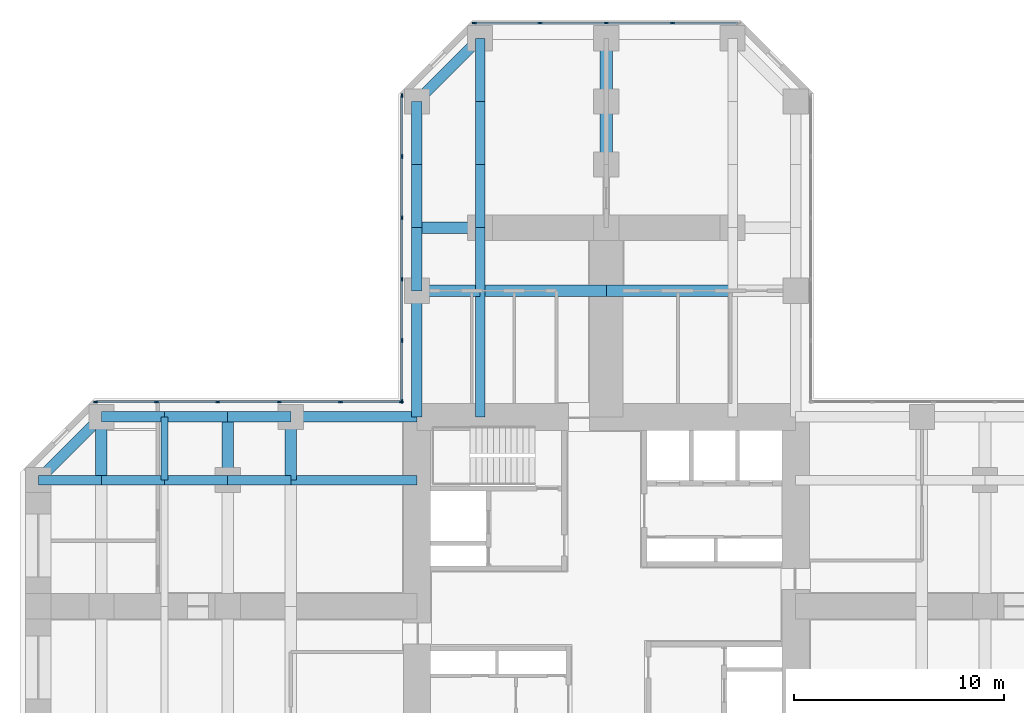
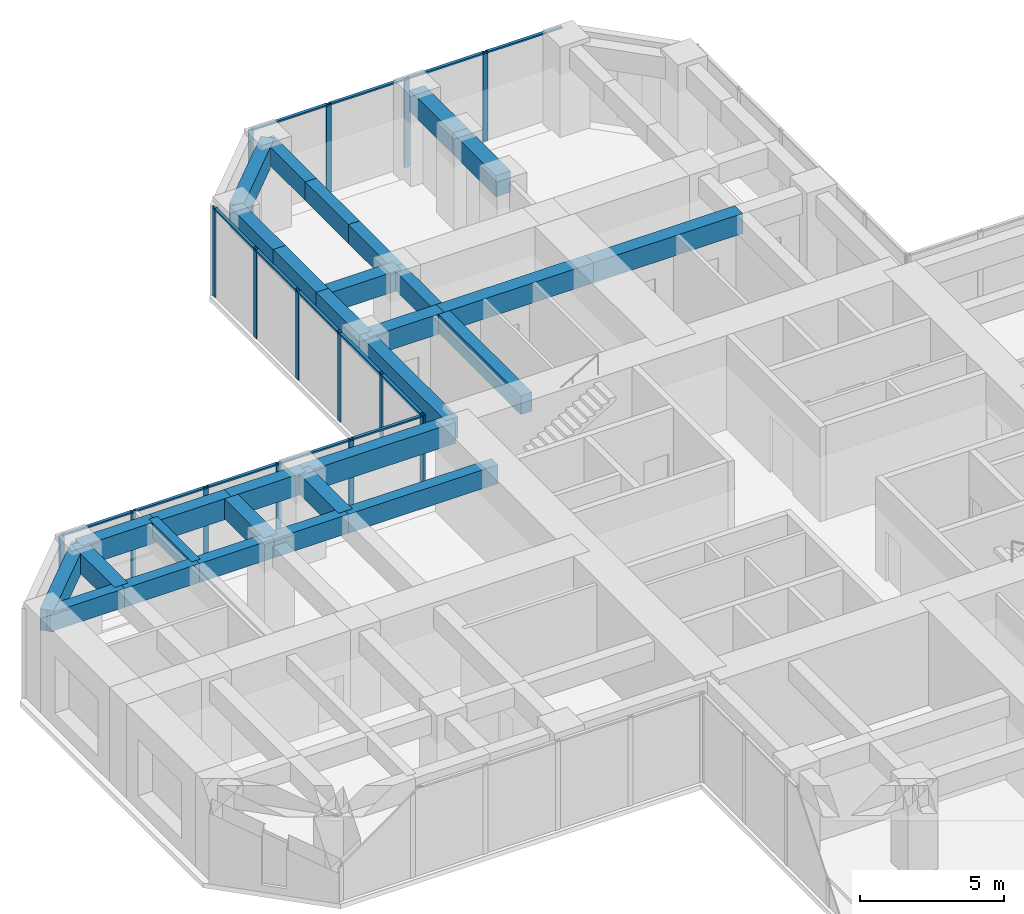
# One storey, part 5 of 12: 30 beams, 30 members, 3 elements without a shape of their own.
"""IFC4 building model written with IfcOpenShell, lengths in metres."""

import ifcopenshell
import ifcopenshell.guid

model = None  # the IFC model being written
_history = None  # IfcOwnerHistory: only IFC2X3 demands one
_inside = {}  # id of a spatial element -> (the spatial element, [elements in it])
_under = {}  # id of a project, library or spatial element -> (it, [spatial elements below it])
_declared = {}  # id of a project -> (the project, [libraries it declares])
_typed = {}  # id of a type object -> (the type object, [elements of that type])
_made_of = {}  # id of a material, layer set ... -> (it, [elements and type objects made of it])


def new_model(schema):
    """Start an empty IFC model of exactly this schema.

    Asked for "IFC4X3", IfcOpenShell would pick the latest addendum, in which some entities
    have other attributes; the version numbers below select the first issue.
    IFC2X3 requires an IfcOwnerHistory on every rooted entity: one is made here for all.
    """
    global model, _history
    if schema == "IFC4X3":
        model = ifcopenshell.file(schema_version=(4, 3, 0, 0))
    else:
        model = ifcopenshell.file(schema=schema)
    _inside.clear()
    _under.clear()
    _declared.clear()
    _typed.clear()
    _made_of.clear()
    _history = None
    if model.schema == "IFC2X3":
        org = make("IfcOrganization", Name="unknown")
        user = make(
            "IfcPersonAndOrganization",
            ThePerson=make("IfcPerson", FamilyName="unknown"),
            TheOrganization=org,
        )
        app = make(
            "IfcApplication",
            ApplicationDeveloper=org,
            Version="unknown",
            ApplicationFullName="unknown",
            ApplicationIdentifier="unknown",
        )
        _history = make(
            "IfcOwnerHistory",
            OwningUser=user,
            OwningApplication=app,
            ChangeAction="ADDED",
            CreationDate=0,
        )
    return model


def make(cls, **values):
    """One entity of the class cls with the attributes given. An attribute that is None is left unset."""
    return model.create_entity(
        cls, **{name: value for name, value in values.items() if value is not None}
    )


def rooted(cls, **values):
    """An entity with a GlobalId (a new one), such as an element, a storey or a relation."""
    return make(cls, GlobalId=ifcopenshell.guid.new(), OwnerHistory=_history, **values)


def si_unit(unit_type, name, prefix=None):
    """IfcSIUnit, for example si_unit("LENGTHUNIT", "METRE", prefix="MILLI")."""
    return make("IfcSIUnit", UnitType=unit_type, Prefix=prefix, Name=name)


def assignment(units):
    """IfcUnitAssignment: the units of a project."""
    return None if units is None else make("IfcUnitAssignment", Units=units)


def point(xyz):
    """IfcCartesianPoint."""
    return None if xyz is None else make("IfcCartesianPoint", Coordinates=xyz)


def direction(xyz):
    """IfcDirection."""
    return None if xyz is None else make("IfcDirection", DirectionRatios=xyz)


def frame(location, z_axis=None, x_axis=None):
    """IfcAxis2Placement3D, a coordinate frame: its origin and axes. An axis left out is left unset."""
    return make(
        "IfcAxis2Placement3D",
        Location=point(location),
        Axis=direction(z_axis),
        RefDirection=direction(x_axis),
    )


def frame_2d(location, x_axis=None):
    """IfcAxis2Placement2D, a coordinate frame in the plane: its origin and x axis."""
    return make(
        "IfcAxis2Placement2D", Location=point(location), RefDirection=direction(x_axis)
    )


def origin():
    """The frame at (0, 0, 0) with its axes left unset."""
    return frame((0.0, 0.0, 0.0))


def origin_2d():
    """The frame at (0, 0) in the plane with its x axis left unset."""
    return frame_2d((0.0, 0.0))


def place(relative_to, where):
    """IfcLocalPlacement: puts the frame where relative to a parent placement (None: the world)."""
    return make(
        "IfcLocalPlacement", PlacementRelTo=relative_to, RelativePlacement=where
    )


def context(
    kind, dimensions, precision=None, world=None, true_north=None, identifier=None
):
    """IfcGeometricRepresentationContext, for example the 3D "Model" context."""
    return make(
        "IfcGeometricRepresentationContext",
        ContextIdentifier=identifier,
        ContextType=kind,
        CoordinateSpaceDimension=dimensions,
        Precision=precision,
        WorldCoordinateSystem=world,
        TrueNorth=true_north,
    )


def subcontext(parent, identifier, kind, view, scale=None):
    """IfcGeometricRepresentationSubContext, for example "Body" below "Model"."""
    return make(
        "IfcGeometricRepresentationSubContext",
        ContextIdentifier=identifier,
        ContextType=kind,
        ParentContext=parent,
        TargetScale=scale,
        TargetView=view,
    )


def project(units=None, contexts=None):
    """IfcProject with its units and contexts."""
    return rooted(
        "IfcProject",
        Name="project",
        RepresentationContexts=contexts,
        UnitsInContext=assignment(units),
    )


def spatial(cls, under=None, at=None, **own):
    """A site, building, storey or space (cls), placed at a placement, below another one or the project."""
    s = rooted(cls, ObjectPlacement=at, **own)
    if under is not None:
        _under.setdefault(under.id(), (under, []))[1].append(s)
    return s


def profile(cls, at=None, kind="AREA", **sizes):
    """A parametric profile (cls). Its sizes go by their IFC names, for example OverallWidth=200.0."""
    return make(cls, ProfileType=kind, Position=at, **sizes)


def rectangle(**sizes):
    """IfcRectangleProfileDef."""
    return profile("IfcRectangleProfileDef", **sizes)


def extrude(swept, where, along, depth):
    """IfcExtrudedAreaSolid: the profile swept, set in the frame where, extruded along a direction by depth."""
    return make(
        "IfcExtrudedAreaSolid",
        SweptArea=swept,
        Position=where,
        ExtrudedDirection=direction(along),
        Depth=depth,
    )


def shape(context_of_items, identifier, shape_type, items):
    """IfcShapeRepresentation: the items that make up one representation, for example the "Body"."""
    return make(
        "IfcShapeRepresentation",
        ContextOfItems=context_of_items,
        RepresentationIdentifier=identifier,
        RepresentationType=shape_type,
        Items=items,
    )


def material(Name=None, Category=None):
    """IfcMaterial."""
    return make("IfcMaterial", Name=Name, Category=Category)


def material_profile(
    of_material, cross_section, Name=None, Category=None, Priority=None
):
    """IfcMaterialProfile: a cross section and its material."""
    return make(
        "IfcMaterialProfile",
        Name=Name,
        Material=of_material,
        Profile=cross_section,
        Priority=Priority,
        Category=Category,
    )


def profile_set(profiles, Name=None, composite=None):
    """IfcMaterialProfileSet."""
    return make(
        "IfcMaterialProfileSet",
        Name=Name,
        MaterialProfiles=profiles,
        CompositeProfile=composite,
    )


def made_of(thing, what):
    """Note that an element or type object is made of a material, layer set ...; save() writes the relation."""
    if what is not None:
        _made_of.setdefault(what.id(), (what, []))[1].append(thing)
    return thing


def type_object(cls, material=None, **own):
    """A type object (cls), such as IfcWallType, which elements share."""
    return made_of(rooted(cls, **own), material)


def element(
    cls,
    number,
    at=None,
    inside=None,
    cuts=None,
    type_object=None,
    material=None,
    context=None,
    identifier="Body",
    shape_type=None,
    held_by="IfcProductDefinitionShape",
    body=None,
    shapes=None,
    **own,
):
    """One element of the class cls, such as IfcWall. Its Tag is "e" and its number.

    at: its placement. inside: the storey or other place that contains it. cuts: it is an
    opening in that element (IfcRelVoidsElement). A single representation is given by context,
    identifier, shape_type and body (its items); several are given by shapes. held_by: the class
    of the entity that holds the representations. save() writes the other relations.
    """
    e = rooted(cls, Tag="e%d" % number, ObjectPlacement=at, **own)
    if body is not None:
        shapes = [shape(context, identifier, shape_type, body)]
    if shapes is not None:
        e.Representation = make(held_by, Representations=shapes)
    if inside is not None:
        _inside.setdefault(inside.id(), (inside, []))[1].append(e)
    if cuts is not None:
        rooted(
            "IfcRelVoidsElement", RelatingBuildingElement=cuts, RelatedOpeningElement=e
        )
    if type_object is not None:
        _typed.setdefault(type_object.id(), (type_object, []))[1].append(e)
    return made_of(e, material)


def aggregate(whole, parts):
    """IfcRelAggregates: a whole, such as a stair, and the parts it consists of."""
    return rooted("IfcRelAggregates", RelatingObject=whole, RelatedObjects=parts)


def save(model, path):
    """Write the relations noted so far, then the file.

    IfcRelAggregates (storeys below a building ...), IfcRelContainedInSpatialStructure (elements
    in a storey), IfcRelDefinesByType, IfcRelAssociatesMaterial and IfcRelDeclares: one each for
    every whole, place, type object, material and project.
    """
    for whole, parts in _under.values():
        aggregate(whole, parts)
    for where, things in _inside.values():
        rooted(
            "IfcRelContainedInSpatialStructure",
            RelatedElements=things,
            RelatingStructure=where,
        )
    for kind, things in _typed.values():
        rooted("IfcRelDefinesByType", RelatedObjects=things, RelatingType=kind)
    for what, things in _made_of.values():
        rooted("IfcRelAssociatesMaterial", RelatedObjects=things, RelatingMaterial=what)
    for by, libraries in _declared.values():
        rooted("IfcRelDeclares", RelatingContext=by, RelatedDefinitions=libraries)
    model.write(path)


model = new_model("IFC4")

# Units and contexts
model_context = context("Model", 3, precision=1e-05, world=origin(), true_north=direction((0.0, 1.0)))
body_context = subcontext(model_context, "Body", "Model", "MODEL_VIEW")
ifc_project = project(units=[si_unit("LENGTHUNIT", "METRE"), si_unit("AREAUNIT", "SQUARE_METRE"), si_unit("VOLUMEUNIT", "CUBIC_METRE"), si_unit("PLANEANGLEUNIT", "RADIAN"), si_unit("MASSUNIT", "GRAM", prefix="KILO")], contexts=[model_context])

# Site, building, storey
site_placement = place(None, origin())
site = spatial("IfcSite", under=ifc_project, at=site_placement, CompositionType="ELEMENT")
building_placement = place(site_placement, origin())
building = spatial("IfcBuilding", under=site, at=building_placement, Name="Torre Cruceta", CompositionType="ELEMENT")
storey_placement = place(building_placement, frame((0.0, 0.0, 71.5)))
storey = spatial("IfcBuildingStorey", under=building, at=storey_placement, Name="L17", CompositionType="ELEMENT", Elevation=71.5)

# Beams
ifc_material_1 = material(Name="Concrete G60 (fck 60 MPa)", Category="concrete")
ifc_material_profile_1 = material_profile(ifc_material_1, rectangle(XDim=0.60009765625, YDim=0.89990234375, at=origin_2d()), Name="RC 600X900")
ifc_profile_set_1 = profile_set([ifc_material_profile_1], Name="Concrete G60 (fck 60 MPa)")
beam_type_1 = type_object("IfcBeamType", Name="ARM CENTRE BEAM RC 600X900", PredefinedType="BEAM", material=ifc_profile_set_1)
for number, where, z_axis, x_axis, name in (
    (1, (0.0, 21.0, 3.35009765625), (0.0, 1.0, 0.0), (-1.0, 0.0, 0.0), "MB3 L17 N centre 1"),
    (2, (0.0, 24.0, 3.35009765625), (0.0, 1.0, 0.0), (-1.0, 0.0, 0.0), "MB3 L17 N centre 2"),
):
    element("IfcBeam", number, at=place(storey_placement, frame(where, z_axis=z_axis, x_axis=x_axis)), inside=storey, type_object=beam_type_1, Name=name, PredefinedType="BEAM", context=body_context, shape_type="SweptSolid", body=[
        extrude(rectangle(XDim=0.60009765625, YDim=0.89990234375, at=origin_2d()), origin(), (0.0, 0.0, 1.0), 3.0),
    ])
ifc_material_2 = material(Name="Concrete G60 (fck 60 MPa)", Category="concrete")
ifc_material_profile_2 = material_profile(ifc_material_2, rectangle(XDim=0.449951171875, YDim=0.800048828125, at=origin_2d()), Name="RC 450X800")
ifc_profile_set_2 = profile_set([ifc_material_profile_2], Name="Concrete G60 (fck 60 MPa)")
beam_type_2 = type_object("IfcBeamType", Name="COLUMN LINE BEAM RC 450X800", PredefinedType="BEAM", material=ifc_profile_set_2)
beam_1_placement = place(storey_placement, frame((-6.0, 9.0, 3.39990234375), z_axis=(0.0, 1.0, 0.0), x_axis=(-1.0, 0.0, 0.0)))
element("IfcBeam", 3, at=beam_1_placement, inside=storey, type_object=beam_type_2, Name="LB1 L17 N col+ 1", PredefinedType="BEAM", context=body_context, shape_type="SweptSolid", body=[
    extrude(rectangle(XDim=0.449951171875, YDim=0.800048828125, at=origin_2d()), origin(), (0.0, 0.0, 1.0), 6.0),
])
for number, where, z_axis, x_axis, name in (
    (4, (-6.0, 15.0, 3.39990234375), (0.0, 1.0, 0.0), (-1.0, 0.0, 0.0), "LB1 L17 N col+ 2"),
    (5, (-6.0, 18.0, 3.39990234375), (0.0, 1.0, 0.0), (-1.0, 0.0, 0.0), "LB1 L17 N col+ 3"),
    (6, (-6.0, 21.0, 3.39990234375), (0.0, 1.0, 0.0), (-1.0, 0.0, 0.0), "LB1 L17 N col+ 4"),
    (7, (-6.0, 24.0, 3.39990234375), (0.0, 1.0, 0.0), (-1.0, 0.0, 0.0), "LB1 L17 N col+ 5"),
):
    element("IfcBeam", number, at=place(storey_placement, frame(where, z_axis=z_axis, x_axis=x_axis)), inside=storey, type_object=beam_type_2, Name=name, PredefinedType="BEAM", context=body_context, shape_type="SweptSolid", body=[
        extrude(rectangle(XDim=0.449951171875, YDim=0.800048828125, at=origin_2d()), origin(), (0.0, 0.0, 1.0), 3.0),
    ])
beam_2_placement = place(storey_placement, frame((-9.0, 6.0, 3.39990234375), z_axis=(-1.0, 0.0, 0.0), x_axis=(0.0, -1.0, 0.0)))
element("IfcBeam", 8, at=beam_2_placement, inside=storey, type_object=beam_type_2, Name="LB1 L17 W col- 1", PredefinedType="BEAM", context=body_context, shape_type="SweptSolid", body=[
    extrude(rectangle(XDim=0.449951171875, YDim=0.800048828125, at=origin_2d()), origin(), (0.0, 0.0, 1.0), 6.0),
])
for number, where, z_axis, x_axis, name in (
    (9, (-15.0, 6.0, 3.39990234375), (-1.0, 0.0, 0.0), (0.0, -1.0, 0.0), "LB1 L17 W col- 2"),
    (10, (-18.0, 6.0, 3.39990234375), (-1.0, 0.0, 0.0), (0.0, -1.0, 0.0), "LB1 L17 W col- 3"),
    (11, (-21.0, 6.0, 3.39990234375), (-1.0, 0.0, 0.0), (0.0, -1.0, 0.0), "LB1 L17 W col- 4"),
    (12, (-24.0, 6.0, 3.39990234375), (-1.0, 0.0, 0.0), (0.0, -1.0, 0.0), "LB1 L17 W col- 5"),
):
    element("IfcBeam", number, at=place(storey_placement, frame(where, z_axis=z_axis, x_axis=x_axis)), inside=storey, type_object=beam_type_2, Name=name, PredefinedType="BEAM", context=body_context, shape_type="SweptSolid", body=[
        extrude(rectangle(XDim=0.449951171875, YDim=0.800048828125, at=origin_2d()), origin(), (0.0, 0.0, 1.0), 3.0),
    ])
ifc_material_3 = material(Name="Concrete G60 (fck 60 MPa)", Category="concrete")
ifc_material_profile_3 = material_profile(ifc_material_3, rectangle(XDim=0.550048828125, YDim=0.85009765625, at=origin_2d()), Name="RC 550X850")
ifc_profile_set_3 = profile_set([ifc_material_profile_3], Name="Concrete G60 (fck 60 MPa)")
beam_type_3 = type_object("IfcBeamType", Name="CROSS BEAM RC 550X850", PredefinedType="BEAM", material=ifc_profile_set_3)
for number, where, z_axis, x_axis, name in (
    (13, (6.0, 15.0, 3.375), (-1.0, 0.0, 0.0), (0.0, -1.0, 0.0), "GB4 L17 N cross15 2"),
    (14, (0.0, 15.0, 3.375), (-1.0, 0.0, 0.0), (0.0, -1.0, 0.0), "GB4 L17 N cross15 3"),
):
    element("IfcBeam", number, at=place(storey_placement, frame(where, z_axis=z_axis, x_axis=x_axis)), inside=storey, type_object=beam_type_3, Name=name, PredefinedType="BEAM", context=body_context, shape_type="SweptSolid", body=[
        extrude(rectangle(XDim=0.550048828125, YDim=0.85009765625, at=origin_2d()), origin(), (0.0, 0.0, 1.0), 6.0),
    ])
for number, where, z_axis, x_axis, name in (
    (15, (-6.0, 15.0, 3.375), (-1.0, 0.0, 0.0), (0.0, -1.0, 0.0), "GB4 L17 N cross15 4"),
    (16, (-6.0, 18.0, 3.375), (-1.0, 0.0, 0.0), (0.0, -1.0, 0.0), "GB4 L17 N cross18b 1"),
    (17, (-15.0, 9.0, 3.375), (0.0, -1.0, 0.0), (1.0, 0.0, 0.0), "GB4 L17 W cross15 1"),
    (18, (-18.0, 9.0, 3.375), (0.0, -1.0, 0.0), (1.0, 0.0, 0.0), "GB4 L17 W cross18 1"),
    (19, (-24.0, 9.0, 3.375), (0.0, -1.0, 0.0), (1.0, 0.0, 0.0), "GB4 L17 W cross24 1"),
):
    element("IfcBeam", number, at=place(storey_placement, frame(where, z_axis=z_axis, x_axis=x_axis)), inside=storey, type_object=beam_type_3, Name=name, PredefinedType="BEAM", context=body_context, shape_type="SweptSolid", body=[
        extrude(rectangle(XDim=0.550048828125, YDim=0.85009765625, at=origin_2d()), origin(), (0.0, 0.0, 1.0), 3.0),
    ])

# Curtain wall, members
ifc_material_4 = material(Name="Aluminium unitised curtain wall", Category="aluminium")
curtain_wall_type = type_object("IfcCurtainWallType", Name="CURTAIN WALL CW-A OFFICE LOW RISE", PredefinedType="USERDEFINED", material=ifc_material_4)
curtain_wall_1_placement = place(storey_placement, origin())
curtain_wall_1 = element("IfcCurtainWall", 20, at=curtain_wall_1_placement, inside=storey, type_object=curtain_wall_type, Name="CW-A L17 N tip 07", ObjectType="UNITISED", PredefinedType="USERDEFINED")
ifc_material_5 = material(Name="Aluminium mullion", Category="aluminium")
ifc_material_profile_4 = material_profile(ifc_material_5, rectangle(XDim=0.06494140625, YDim=0.199951171875, at=origin_2d()), Name="AL 65X200")
ifc_profile_set_4 = profile_set([ifc_material_profile_4], Name="Aluminium mullion")
member_type_1 = type_object("IfcMemberType", Name="CW-A MULLION 65X200", PredefinedType="MULLION", material=ifc_profile_set_4)
member_1_placement = place(storey_placement, frame((3.149169921875, 27.719970703125, 0.0), z_axis=(0.0, 0.0, 1.0), x_axis=(0.0, -1.0, 0.0)))
member_1 = element("IfcMember", 21, at=member_1_placement, type_object=member_type_1, Name="CW-A mullion 2", PredefinedType="MULLION", context=body_context, shape_type="SweptSolid", body=[
    extrude(rectangle(XDim=0.06494140625, YDim=0.199951171875, at=origin_2d()), origin(), (0.0, 0.0, 1.0), 3.800048828125),
])
member_2_placement = place(storey_placement, frame((0.0, 27.719970703125, 0.0), z_axis=(0.0, 0.0, 1.0), x_axis=(0.0, -1.0, 0.0)))
member_2 = element("IfcMember", 22, at=member_2_placement, type_object=member_type_1, Name="CW-A mullion 3", PredefinedType="MULLION", context=body_context, shape_type="SweptSolid", body=[
    extrude(rectangle(XDim=0.06494140625, YDim=0.199951171875, at=origin_2d()), origin(), (0.0, 0.0, 1.0), 3.800048828125),
])
member_3_placement = place(storey_placement, frame((-3.149169921875, 27.719970703125, 0.0), z_axis=(0.0, 0.0, 1.0), x_axis=(0.0, -1.0, 0.0)))
member_3 = element("IfcMember", 23, at=member_3_placement, type_object=member_type_1, Name="CW-A mullion 4", PredefinedType="MULLION", context=body_context, shape_type="SweptSolid", body=[
    extrude(rectangle(XDim=0.06494140625, YDim=0.199951171875, at=origin_2d()), origin(), (0.0, 0.0, 1.0), 3.800048828125),
])
member_4_placement = place(storey_placement, frame((-6.265625, 27.719970703125, 0.0), z_axis=(0.0, 0.0, 1.0), x_axis=(0.0, -1.0, 0.0)))
member_4 = element("IfcMember", 24, at=member_4_placement, type_object=member_type_1, Name="CW-A mullion 5", PredefinedType="MULLION", context=body_context, shape_type="SweptSolid", body=[
    extrude(rectangle(XDim=0.06494140625, YDim=0.199951171875, at=origin_2d()), origin(), (0.0, 0.0, 1.0), 3.800048828125),
])

curtain_wall_2_placement = place(storey_placement, origin())
curtain_wall_2 = element("IfcCurtainWall", 25, at=curtain_wall_2_placement, inside=storey, type_object=curtain_wall_type, Name="CW-A L17 N side 09", ObjectType="UNITISED", PredefinedType="USERDEFINED")
member_5_placement = place(storey_placement, frame((-9.719970703125, 24.265625, 0.0), z_axis=(0.0, 0.0, 1.0), x_axis=(1.0, 0.0, 0.0)))
member_5 = element("IfcMember", 26, at=member_5_placement, type_object=member_type_1, Name="CW-A mullion 1", PredefinedType="MULLION", context=body_context, shape_type="SweptSolid", body=[
    extrude(rectangle(XDim=0.06494140625, YDim=0.199951171875, at=origin_2d()), origin(), (0.0, 0.0, 1.0), 3.800048828125),
])
member_6_placement = place(storey_placement, frame((-9.719970703125, 21.382568359375, 0.0), z_axis=(0.0, 0.0, 1.0), x_axis=(1.0, 0.0, 0.0)))
member_6 = element("IfcMember", 27, at=member_6_placement, type_object=member_type_1, Name="CW-A mullion 2", PredefinedType="MULLION", context=body_context, shape_type="SweptSolid", body=[
    extrude(rectangle(XDim=0.06494140625, YDim=0.199951171875, at=origin_2d()), origin(), (0.0, 0.0, 1.0), 3.800048828125),
])
member_7_placement = place(storey_placement, frame((-9.719970703125, 18.467041015625, 0.0), z_axis=(0.0, 0.0, 1.0), x_axis=(1.0, 0.0, 0.0)))
member_7 = element("IfcMember", 28, at=member_7_placement, type_object=member_type_1, Name="CW-A mullion 3", PredefinedType="MULLION", context=body_context, shape_type="SweptSolid", body=[
    extrude(rectangle(XDim=0.06494140625, YDim=0.199951171875, at=origin_2d()), origin(), (0.0, 0.0, 1.0), 3.800048828125),
])
member_8_placement = place(storey_placement, frame((-9.719970703125, 15.55126953125, 0.0), z_axis=(0.0, 0.0, 1.0), x_axis=(1.0, 0.0, 0.0)))
member_8 = element("IfcMember", 29, at=member_8_placement, type_object=member_type_1, Name="CW-A mullion 4", PredefinedType="MULLION", context=body_context, shape_type="SweptSolid", body=[
    extrude(rectangle(XDim=0.06494140625, YDim=0.199951171875, at=origin_2d()), origin(), (0.0, 0.0, 1.0), 3.800048828125),
])
member_9_placement = place(storey_placement, frame((-9.719970703125, 12.6357421875, 0.0), z_axis=(0.0, 0.0, 1.0), x_axis=(1.0, 0.0, 0.0)))
member_9 = element("IfcMember", 30, at=member_9_placement, type_object=member_type_1, Name="CW-A mullion 5", PredefinedType="MULLION", context=body_context, shape_type="SweptSolid", body=[
    extrude(rectangle(XDim=0.06494140625, YDim=0.199951171875, at=origin_2d()), origin(), (0.0, 0.0, 1.0), 3.800048828125),
])
member_10_placement = place(storey_placement, frame((-9.719970703125, 9.75244140625, 0.0), z_axis=(0.0, 0.0, 1.0), x_axis=(1.0, 0.0, 0.0)))
member_10 = element("IfcMember", 31, at=member_10_placement, type_object=member_type_1, Name="CW-A mullion 6", PredefinedType="MULLION", context=body_context, shape_type="SweptSolid", body=[
    extrude(rectangle(XDim=0.06494140625, YDim=0.199951171875, at=origin_2d()), origin(), (0.0, 0.0, 1.0), 3.800048828125),
])

curtain_wall_3_placement = place(storey_placement, origin())
curtain_wall_3 = element("IfcCurtainWall", 32, at=curtain_wall_3_placement, inside=storey, type_object=curtain_wall_type, Name="CW-A L17 W side 10", ObjectType="UNITISED", PredefinedType="USERDEFINED")
member_11_placement = place(storey_placement, frame((-9.75244140625, 9.719970703125, 0.0), z_axis=(0.0, 0.0, 1.0), x_axis=(0.0, -1.0, 0.0)))
member_11 = element("IfcMember", 33, at=member_11_placement, type_object=member_type_1, Name="CW-A mullion 1", PredefinedType="MULLION", context=body_context, shape_type="SweptSolid", body=[
    extrude(rectangle(XDim=0.06494140625, YDim=0.199951171875, at=origin_2d()), origin(), (0.0, 0.0, 1.0), 3.800048828125),
])
member_12_placement = place(storey_placement, frame((-12.6357421875, 9.719970703125, 0.0), z_axis=(0.0, 0.0, 1.0), x_axis=(0.0, -1.0, 0.0)))
member_12 = element("IfcMember", 34, at=member_12_placement, type_object=member_type_1, Name="CW-A mullion 2", PredefinedType="MULLION", context=body_context, shape_type="SweptSolid", body=[
    extrude(rectangle(XDim=0.06494140625, YDim=0.199951171875, at=origin_2d()), origin(), (0.0, 0.0, 1.0), 3.800048828125),
])
member_13_placement = place(storey_placement, frame((-15.55126953125, 9.719970703125, 0.0), z_axis=(0.0, 0.0, 1.0), x_axis=(0.0, -1.0, 0.0)))
member_13 = element("IfcMember", 35, at=member_13_placement, type_object=member_type_1, Name="CW-A mullion 3", PredefinedType="MULLION", context=body_context, shape_type="SweptSolid", body=[
    extrude(rectangle(XDim=0.06494140625, YDim=0.199951171875, at=origin_2d()), origin(), (0.0, 0.0, 1.0), 3.800048828125),
])
member_14_placement = place(storey_placement, frame((-18.467041015625, 9.719970703125, 0.0), z_axis=(0.0, 0.0, 1.0), x_axis=(0.0, -1.0, 0.0)))
member_14 = element("IfcMember", 36, at=member_14_placement, type_object=member_type_1, Name="CW-A mullion 4", PredefinedType="MULLION", context=body_context, shape_type="SweptSolid", body=[
    extrude(rectangle(XDim=0.06494140625, YDim=0.199951171875, at=origin_2d()), origin(), (0.0, 0.0, 1.0), 3.800048828125),
])
member_15_placement = place(storey_placement, frame((-21.382568359375, 9.719970703125, 0.0), z_axis=(0.0, 0.0, 1.0), x_axis=(0.0, -1.0, 0.0)))
member_15 = element("IfcMember", 37, at=member_15_placement, type_object=member_type_1, Name="CW-A mullion 5", PredefinedType="MULLION", context=body_context, shape_type="SweptSolid", body=[
    extrude(rectangle(XDim=0.06494140625, YDim=0.199951171875, at=origin_2d()), origin(), (0.0, 0.0, 1.0), 3.800048828125),
])
member_16_placement = place(storey_placement, frame((-24.265625, 9.719970703125, 0.0), z_axis=(0.0, 0.0, 1.0), x_axis=(0.0, -1.0, 0.0)))
member_16 = element("IfcMember", 38, at=member_16_placement, type_object=member_type_1, Name="CW-A mullion 6", PredefinedType="MULLION", context=body_context, shape_type="SweptSolid", body=[
    extrude(rectangle(XDim=0.06494140625, YDim=0.199951171875, at=origin_2d()), origin(), (0.0, 0.0, 1.0), 3.800048828125),
])

# Member
ifc_material_6 = material(Name="Aluminium transom", Category="aluminium")
ifc_material_profile_5 = material_profile(ifc_material_6, rectangle(XDim=0.1201171875, YDim=0.06494140625, at=origin_2d()), Name="AL 120X65")
ifc_profile_set_5 = profile_set([ifc_material_profile_5], Name="Aluminium transom")
member_type_2 = type_object("IfcMemberType", Name="CW-A TRANSOM 65X120", PredefinedType="USERDEFINED", material=ifc_profile_set_5)
member_17_placement = place(storey_placement, frame((6.233154296875, 27.719970703125, 3.767578125), z_axis=(-1.0, 0.0, 0.0), x_axis=(0.0, -1.0, 0.0)))
member_17 = element("IfcMember", 39, at=member_17_placement, type_object=member_type_2, Name="CW-A transom 1", ObjectType="TRANSOM", PredefinedType="USERDEFINED", context=body_context, shape_type="SweptSolid", body=[
    extrude(rectangle(XDim=0.1201171875, YDim=0.06494140625, at=origin_2d()), origin(), (0.0, 0.0, 1.0), 3.051513671875),
])

member_18_placement = place(storey_placement, frame((3.11669921875, 27.719970703125, 3.767578125), z_axis=(-1.0, 0.0, 0.0), x_axis=(0.0, -1.0, 0.0)))
member_18 = element("IfcMember", 40, at=member_18_placement, type_object=member_type_2, Name="CW-A transom 2", ObjectType="TRANSOM", PredefinedType="USERDEFINED", context=body_context, shape_type="SweptSolid", body=[
    extrude(rectangle(XDim=0.1201171875, YDim=0.06494140625, at=origin_2d()), origin(), (0.0, 0.0, 1.0), 3.084228515625),
])

member_19_placement = place(storey_placement, frame((-0.032470703125, 27.719970703125, 3.767578125), z_axis=(-1.0, 0.0, 0.0), x_axis=(0.0, -1.0, 0.0)))
member_19 = element("IfcMember", 41, at=member_19_placement, type_object=member_type_2, Name="CW-A transom 3", ObjectType="TRANSOM", PredefinedType="USERDEFINED", context=body_context, shape_type="SweptSolid", body=[
    extrude(rectangle(XDim=0.1201171875, YDim=0.06494140625, at=origin_2d()), origin(), (0.0, 0.0, 1.0), 3.084228515625),
])

member_20_placement = place(storey_placement, frame((-3.181640625, 27.719970703125, 3.767578125), z_axis=(-1.0, 0.0, 0.0), x_axis=(0.0, -1.0, 0.0)))
member_20 = element("IfcMember", 42, at=member_20_placement, type_object=member_type_2, Name="CW-A transom 4", ObjectType="TRANSOM", PredefinedType="USERDEFINED", context=body_context, shape_type="SweptSolid", body=[
    extrude(rectangle(XDim=0.1201171875, YDim=0.06494140625, at=origin_2d()), origin(), (0.0, 0.0, 1.0), 3.051513671875),
])

aggregate(curtain_wall_1, [member_1, member_2, member_3, member_4, member_17, member_18, member_19, member_20])

member_21_placement = place(storey_placement, frame((-9.719970703125, 24.233154296875, 3.767578125), z_axis=(0.0, -1.0, 0.0), x_axis=(1.0, 0.0, 0.0)))
member_21 = element("IfcMember", 43, at=member_21_placement, type_object=member_type_2, Name="CW-A transom 1", ObjectType="TRANSOM", PredefinedType="USERDEFINED", context=body_context, shape_type="SweptSolid", body=[
    extrude(rectangle(XDim=0.1201171875, YDim=0.06494140625, at=origin_2d()), origin(), (0.0, 0.0, 1.0), 2.818115234375),
])

member_22_placement = place(storey_placement, frame((-9.719970703125, 21.35009765625, 3.767578125), z_axis=(0.0, -1.0, 0.0), x_axis=(1.0, 0.0, 0.0)))
member_22 = element("IfcMember", 44, at=member_22_placement, type_object=member_type_2, Name="CW-A transom 2", ObjectType="TRANSOM", PredefinedType="USERDEFINED", context=body_context, shape_type="SweptSolid", body=[
    extrude(rectangle(XDim=0.1201171875, YDim=0.06494140625, at=origin_2d()), origin(), (0.0, 0.0, 1.0), 2.8505859375),
])

member_23_placement = place(storey_placement, frame((-9.719970703125, 18.434326171875, 3.767578125), z_axis=(0.0, -1.0, 0.0), x_axis=(1.0, 0.0, 0.0)))
member_23 = element("IfcMember", 45, at=member_23_placement, type_object=member_type_2, Name="CW-A transom 3", ObjectType="TRANSOM", PredefinedType="USERDEFINED", context=body_context, shape_type="SweptSolid", body=[
    extrude(rectangle(XDim=0.1201171875, YDim=0.06494140625, at=origin_2d()), origin(), (0.0, 0.0, 1.0), 2.8505859375),
])

member_24_placement = place(storey_placement, frame((-9.719970703125, 15.518798828125, 3.767578125), z_axis=(0.0, -1.0, 0.0), x_axis=(1.0, 0.0, 0.0)))
member_24 = element("IfcMember", 46, at=member_24_placement, type_object=member_type_2, Name="CW-A transom 4", ObjectType="TRANSOM", PredefinedType="USERDEFINED", context=body_context, shape_type="SweptSolid", body=[
    extrude(rectangle(XDim=0.1201171875, YDim=0.06494140625, at=origin_2d()), origin(), (0.0, 0.0, 1.0), 2.8505859375),
])

member_25_placement = place(storey_placement, frame((-9.719970703125, 12.60302734375, 3.767578125), z_axis=(0.0, -1.0, 0.0), x_axis=(1.0, 0.0, 0.0)))
member_25 = element("IfcMember", 47, at=member_25_placement, type_object=member_type_2, Name="CW-A transom 5", ObjectType="TRANSOM", PredefinedType="USERDEFINED", context=body_context, shape_type="SweptSolid", body=[
    extrude(rectangle(XDim=0.1201171875, YDim=0.06494140625, at=origin_2d()), origin(), (0.0, 0.0, 1.0), 2.818115234375),
])

aggregate(curtain_wall_2, [member_5, member_6, member_7, member_8, member_9, member_10, member_21, member_22, member_23, member_24, member_25])

member_26_placement = place(storey_placement, frame((-9.784912109375, 9.719970703125, 3.767578125), z_axis=(-1.0, 0.0, 0.0), x_axis=(0.0, -1.0, 0.0)))
member_26 = element("IfcMember", 48, at=member_26_placement, type_object=member_type_2, Name="CW-A transom 1", ObjectType="TRANSOM", PredefinedType="USERDEFINED", context=body_context, shape_type="SweptSolid", body=[
    extrude(rectangle(XDim=0.1201171875, YDim=0.06494140625, at=origin_2d()), origin(), (0.0, 0.0, 1.0), 2.818115234375),
])

member_27_placement = place(storey_placement, frame((-12.668212890625, 9.719970703125, 3.767578125), z_axis=(-1.0, 0.0, 0.0), x_axis=(0.0, -1.0, 0.0)))
member_27 = element("IfcMember", 49, at=member_27_placement, type_object=member_type_2, Name="CW-A transom 2", ObjectType="TRANSOM", PredefinedType="USERDEFINED", context=body_context, shape_type="SweptSolid", body=[
    extrude(rectangle(XDim=0.1201171875, YDim=0.06494140625, at=origin_2d()), origin(), (0.0, 0.0, 1.0), 2.8505859375),
])

member_28_placement = place(storey_placement, frame((-15.583740234375, 9.719970703125, 3.767578125), z_axis=(-1.0, 0.0, 0.0), x_axis=(0.0, -1.0, 0.0)))
member_28 = element("IfcMember", 50, at=member_28_placement, type_object=member_type_2, Name="CW-A transom 3", ObjectType="TRANSOM", PredefinedType="USERDEFINED", context=body_context, shape_type="SweptSolid", body=[
    extrude(rectangle(XDim=0.1201171875, YDim=0.06494140625, at=origin_2d()), origin(), (0.0, 0.0, 1.0), 2.8505859375),
])

member_29_placement = place(storey_placement, frame((-18.49951171875, 9.719970703125, 3.767578125), z_axis=(-1.0, 0.0, 0.0), x_axis=(0.0, -1.0, 0.0)))
member_29 = element("IfcMember", 51, at=member_29_placement, type_object=member_type_2, Name="CW-A transom 4", ObjectType="TRANSOM", PredefinedType="USERDEFINED", context=body_context, shape_type="SweptSolid", body=[
    extrude(rectangle(XDim=0.1201171875, YDim=0.06494140625, at=origin_2d()), origin(), (0.0, 0.0, 1.0), 2.8505859375),
])

member_30_placement = place(storey_placement, frame((-21.4150390625, 9.719970703125, 3.767578125), z_axis=(-1.0, 0.0, 0.0), x_axis=(0.0, -1.0, 0.0)))
member_30 = element("IfcMember", 52, at=member_30_placement, type_object=member_type_2, Name="CW-A transom 5", ObjectType="TRANSOM", PredefinedType="USERDEFINED", context=body_context, shape_type="SweptSolid", body=[
    extrude(rectangle(XDim=0.1201171875, YDim=0.06494140625, at=origin_2d()), origin(), (0.0, 0.0, 1.0), 2.818115234375),
])

aggregate(curtain_wall_3, [member_11, member_12, member_13, member_14, member_15, member_16, member_26, member_27, member_28, member_29, member_30])

# Beams
ifc_material_7 = material(Name="Concrete G60 (fck 60 MPa)", Category="concrete")
ifc_material_profile_6 = material_profile(ifc_material_7, rectangle(XDim=0.35009765625, YDim=0.64990234375, at=origin_2d()), Name="RC 350X650")
ifc_profile_set_6 = profile_set([ifc_material_profile_6], Name="Concrete G60 (fck 60 MPa)")
beam_type_4 = type_object("IfcBeamType", Name="SECONDARY BEAM RC 350X650", PredefinedType="JOIST", material=ifc_profile_set_6)
beam_3_placement = place(storey_placement, frame((-21.0, 9.0, 3.47509765625), z_axis=(0.0, -1.0, 0.0), x_axis=(1.0, 0.0, 0.0)))
element("IfcBeam", 53, at=beam_3_placement, inside=storey, type_object=beam_type_4, Name="JB3 L17 W sec21 1", PredefinedType="JOIST", context=body_context, shape_type="SweptSolid", body=[
    extrude(rectangle(XDim=0.35009765625, YDim=0.64990234375, at=origin_2d()), origin(), (0.0, 0.0, 1.0), 3.0),
])
ifc_material_8 = material(Name="Concrete G60 (fck 60 MPa)", Category="concrete")
ifc_material_profile_7 = material_profile(ifc_material_8, rectangle(XDim=0.5, YDim=0.89990234375, at=origin_2d()), Name="RC 500X900")
ifc_profile_set_7 = profile_set([ifc_material_profile_7], Name="Concrete G60 (fck 60 MPa)")
beam_type_5 = type_object("IfcBeamType", Name="SPANDREL BEAM RC 500X900", PredefinedType="SPANDREL", material=ifc_profile_set_7)
beam_4_placement = place(storey_placement, frame((-9.0, 9.0, 3.35009765625), z_axis=(0.0, 1.0, 0.0), x_axis=(-1.0, 0.0, 0.0)))
element("IfcBeam", 54, at=beam_4_placement, inside=storey, type_object=beam_type_5, Name="SB4 L17 N side+ 1", PredefinedType="SPANDREL", context=body_context, shape_type="SweptSolid", body=[
    extrude(rectangle(XDim=0.5, YDim=0.89990234375, at=origin_2d()), origin(), (0.0, 0.0, 1.0), 6.0),
])
for number, where, z_axis, x_axis, name in (
    (55, (-9.0, 15.0, 3.35009765625), (0.0, 1.0, 0.0), (-1.0, 0.0, 0.0), "SB4 L17 N side+ 2"),
    (56, (-9.0, 18.0, 3.35009765625), (0.0, 1.0, 0.0), (-1.0, 0.0, 0.0), "SB4 L17 N side+ 3"),
    (57, (-9.0, 21.0, 3.35009765625), (0.0, 1.0, 0.0), (-1.0, 0.0, 0.0), "SB4 L17 N side+ 4"),
):
    element("IfcBeam", number, at=place(storey_placement, frame(where, z_axis=z_axis, x_axis=x_axis)), inside=storey, type_object=beam_type_5, Name=name, PredefinedType="SPANDREL", context=body_context, shape_type="SweptSolid", body=[
        extrude(rectangle(XDim=0.5, YDim=0.89990234375, at=origin_2d()), origin(), (0.0, 0.0, 1.0), 3.0),
    ])
beam_5_placement = place(storey_placement, frame((-9.0, 24.0, 3.35009765625), z_axis=(0.707106781187, 0.707106781187, 0.0), x_axis=(-0.707106781187, 0.707106781187, 0.0)))
element("IfcBeam", 58, at=beam_5_placement, inside=storey, type_object=beam_type_5, Name="SB4 L17 N side+ 5", PredefinedType="SPANDREL", context=body_context, shape_type="SweptSolid", body=[
    extrude(rectangle(XDim=0.5, YDim=0.89990234375, at=origin_2d()), origin(), (0.0, 0.0, 1.0), 4.24267578125),
])
beam_6_placement = place(storey_placement, frame((-9.0, 9.0, 3.35009765625), z_axis=(-1.0, 0.0, 0.0), x_axis=(0.0, -1.0, 0.0)))
element("IfcBeam", 59, at=beam_6_placement, inside=storey, type_object=beam_type_5, Name="SB4 L17 W side- 1", PredefinedType="SPANDREL", context=body_context, shape_type="SweptSolid", body=[
    extrude(rectangle(XDim=0.5, YDim=0.89990234375, at=origin_2d()), origin(), (0.0, 0.0, 1.0), 6.0),
])
for number, where, z_axis, x_axis, name in (
    (60, (-15.0, 9.0, 3.35009765625), (-1.0, 0.0, 0.0), (0.0, -1.0, 0.0), "SB4 L17 W side- 2"),
    (61, (-18.0, 9.0, 3.35009765625), (-1.0, 0.0, 0.0), (0.0, -1.0, 0.0), "SB4 L17 W side- 3"),
    (62, (-21.0, 9.0, 3.35009765625), (-1.0, 0.0, 0.0), (0.0, -1.0, 0.0), "SB4 L17 W side- 4"),
):
    element("IfcBeam", number, at=place(storey_placement, frame(where, z_axis=z_axis, x_axis=x_axis)), inside=storey, type_object=beam_type_5, Name=name, PredefinedType="SPANDREL", context=body_context, shape_type="SweptSolid", body=[
        extrude(rectangle(XDim=0.5, YDim=0.89990234375, at=origin_2d()), origin(), (0.0, 0.0, 1.0), 3.0),
    ])
beam_7_placement = place(storey_placement, frame((-24.0, 9.0, 3.35009765625), z_axis=(-0.707106781187, -0.707106781187, 0.0), x_axis=(0.707106781187, -0.707106781187, 0.0)))
element("IfcBeam", 63, at=beam_7_placement, inside=storey, type_object=beam_type_5, Name="SB4 L17 W side- 5", PredefinedType="SPANDREL", context=body_context, shape_type="SweptSolid", body=[
    extrude(rectangle(XDim=0.5, YDim=0.89990234375, at=origin_2d()), origin(), (0.0, 0.0, 1.0), 4.24267578125),
])

save(model, "model.ifc")
